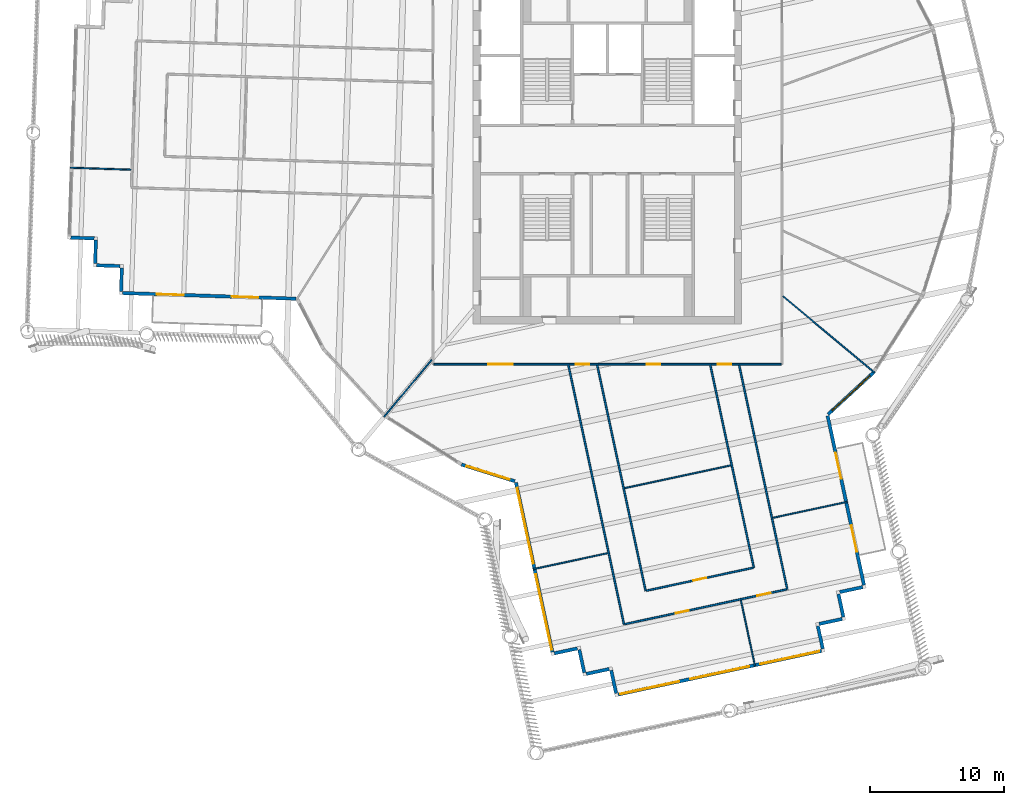
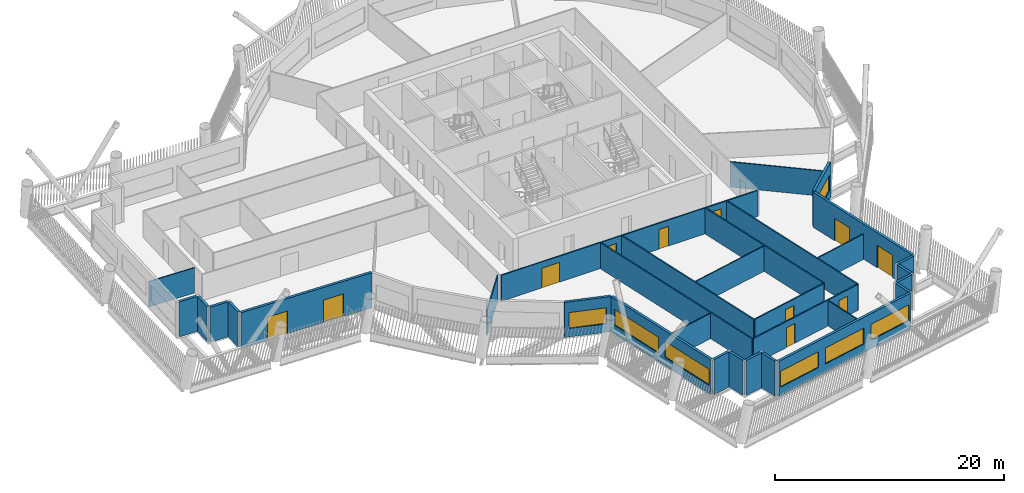
# One storey, part 3 of 21: 32 walls, 11 doors, 7 windows, 18 openings.
"""IFC4 building model written with IfcOpenShell, lengths in metres."""

from ifc_helpers import new_model, si_unit, direction, frame, frame_2d, origin, place, context, subcontext, project, spatial, rectangle, extrude, material, layer, layer_set, type_object, element, fill, save


model = new_model("IFC4")

# Units and contexts
model_context = context("Model", 3, precision=1e-05, world=origin(), true_north=direction((0.0, 1.0)))
body_context = subcontext(model_context, "Body", "Model", "MODEL_VIEW")
ifc_project = project(units=[si_unit("LENGTHUNIT", "METRE"), si_unit("AREAUNIT", "SQUARE_METRE"), si_unit("VOLUMEUNIT", "CUBIC_METRE"), si_unit("PLANEANGLEUNIT", "RADIAN"), si_unit("MASSUNIT", "GRAM", prefix="KILO")], contexts=[model_context])

# Site, building, storey
site_placement = place(None, origin())
site = spatial("IfcSite", under=ifc_project, at=site_placement, CompositionType="ELEMENT")
building_placement = place(site_placement, origin())
building = spatial("IfcBuilding", under=site, at=building_placement, Name="Tarsis Ring Headquarters", CompositionType="ELEMENT")
storey_placement = place(building_placement, frame((0.0, 0.0, 278.60009765625)))
storey = spatial("IfcBuildingStorey", under=building, at=storey_placement, Name="L65", CompositionType="ELEMENT", Elevation=278.60009765625)

# Walls
ifc_material_1 = material(Name="Gypsum board on steel studs", Category="steel")
ifc_layer_1 = layer(ifc_material_1, 0.10009765625)
ifc_layer_set_1 = layer_set([ifc_layer_1], Name="FL partition 100 unrated")
wall_type_1 = type_object("IfcWallType", Name="FL partition 100 unrated", PredefinedType="PARTITIONING", material=ifc_layer_set_1)
wall_1_placement = place(storey_placement, frame((13.08447265625, -10.9326171875, 0.0), z_axis=(0.0, 0.0, 1.0), x_axis=(0.767397433309, -0.641171723761, 0.0)))
element("IfcWall", 1, at=wall_1_placement, inside=storey, type_object=wall_type_1, Name="Partition PW3", PredefinedType="PARTITIONING", context=body_context, shape_type="SweptSolid", body=[
    extrude(rectangle(XDim=8.897216796875, YDim=0.10009765625, at=frame_2d((4.44873046875, 0.0))), origin(), (0.0, 0.0, 1.0), 2.699951171875),
])
wall_2_placement = place(storey_placement, frame((1.276611328125, -25.234375, 0.0), z_axis=(0.0, 0.0, 1.0), x_axis=(0.977709690477, 0.209961332507, 0.0)))
element("IfcWall", 2, at=wall_2_placement, inside=storey, type_object=wall_type_1, Name="Partition PW3", PredefinedType="PARTITIONING", context=body_context, shape_type="SweptSolid", body=[
    extrude(rectangle(XDim=8.10009765625, YDim=0.10009765625, at=frame_2d((4.050048828125, 0.0))), origin(), (0.0, 0.0, 1.0), 2.699951171875),
])
wall_3_placement = place(storey_placement, frame((-5.5087890625, -31.263427734375, 0.0), z_axis=(0.0, 0.0, 1.0), x_axis=(0.97771585261, 0.209932635755, 0.0)))
element("IfcWall", 3, at=wall_3_placement, inside=storey, type_object=wall_type_1, Name="Partition PW3", PredefinedType="PARTITIONING", context=body_context, shape_type="SweptSolid", body=[
    extrude(rectangle(XDim=5.66015625, YDim=0.10009765625, at=frame_2d((2.830078125, 0.0))), origin(), (0.0, 0.0, 1.0), 2.699951171875),
])
wall_4_placement = place(storey_placement, frame((12.326904296875, -27.443603515625, 0.0), z_axis=(0.0, 0.0, 1.0), x_axis=(0.977705096563, 0.209982723466, 0.0)))
element("IfcWall", 4, at=wall_4_placement, inside=storey, type_object=wall_type_1, Name="Partition PW3", PredefinedType="PARTITIONING", context=body_context, shape_type="SweptSolid", body=[
    extrude(rectangle(XDim=5.659912109375, YDim=0.10009765625, at=frame_2d((2.830078125, 0.0))), origin(), (0.0, 0.0, 1.0), 2.699951171875),
])
wall_5_placement = place(storey_placement, frame((-16.63720703125, -19.912109375, 0.0), z_axis=(0.0, 0.0, 1.0), x_axis=(0.641160456154, 0.767406847418, 0.0)))
element("IfcWall", 5, at=wall_5_placement, inside=storey, type_object=wall_type_1, Name="Partition PW3", PredefinedType="PARTITIONING", context=body_context, shape_type="SweptSolid", body=[
    extrude(rectangle(XDim=5.53271484375, YDim=0.10009765625, at=frame_2d((2.766357421875, 0.0))), origin(), (0.0, 0.0, 1.0), 2.699951171875),
])
wall_6_placement = place(storey_placement, frame((9.9423828125, -33.5810546875, 0.0), z_axis=(0.0, 0.0, 1.0), x_axis=(0.20993016706, -0.977716382679, 0.0)))
element("IfcWall", 6, at=wall_6_placement, inside=storey, type_object=wall_type_1, Name="Partition PW3", PredefinedType="PARTITIONING", context=body_context, shape_type="SweptSolid", body=[
    extrude(rectangle(XDim=5.02978515625, YDim=0.10009765625, at=frame_2d((2.514892578125, 0.0))), origin(), (0.0, 0.0, 1.0), 2.699951171875),
])
wall_7_placement = place(storey_placement, frame((-40.01611328125, -1.35791015625, 0.0), z_axis=(0.0, 0.0, 1.0), x_axis=(0.999462391884, -0.03278608257, 0.0)))
element("IfcWall", 7, at=wall_7_placement, inside=storey, type_object=wall_type_1, Name="Partition PW3", PredefinedType="PARTITIONING", context=body_context, shape_type="SweptSolid", body=[
    extrude(rectangle(XDim=4.52001953125, YDim=0.10009765625, at=frame_2d((2.260009765625, 0.0))), origin(), (0.0, 0.0, 1.0), 2.699951171875),
])

# Wall, openings, doors
ifc_layer_2 = layer(ifc_material_1, 0.125)
ifc_layer_set_2 = layer_set([ifc_layer_2], Name="FL partition 125 EI 60 H2770")
wall_type_2 = type_object("IfcWallType", Name="FL partition 125 EI 60 H2770", PredefinedType="PARTITIONING", material=ifc_layer_set_2)
wall_8_placement = place(storey_placement, frame((-12.93994140625, -16.0, 0.0), z_axis=(0.0, 0.0, 1.0), x_axis=(1.0, 0.0, 0.0)))
wall_8 = element("IfcWall", 8, at=wall_8_placement, inside=storey, type_object=wall_type_2, Name="Partition PW1", PredefinedType="PARTITIONING", context=body_context, shape_type="SweptSolid", body=[
    extrude(rectangle(XDim=25.8798828125, YDim=0.125, at=frame_2d((12.93994140625, 0.0))), origin(), (0.0, 0.0, 1.0), 2.77001953125),
])
opening_1_placement = place(wall_8_placement, frame((4.0771484375, 0.0, 0.0)))
opening_1 = element("IfcOpeningElement", 9, at=opening_1_placement, cuts=wall_8, Name="Opening D65.12", PredefinedType="OPENING", context=body_context, shape_type="SweptSolid", body=[
    extrude(rectangle(XDim=1.800048828125, YDim=2.10009765625, at=frame_2d((0.89990234375, 1.050048828125))), frame((0.0, 0.072509765625, 0.0), z_axis=(0.0, -1.0, 0.0), x_axis=(1.0, 0.0, 0.0)), (0.0, 0.0, 1.0), 0.14501953125),
])
opening_2_placement = place(wall_8_placement, frame((15.8759765625, 0.0, 0.0)))
opening_2 = element("IfcOpeningElement", 10, at=opening_2_placement, cuts=wall_8, Name="Opening D65.16", PredefinedType="OPENING", context=body_context, shape_type="SweptSolid", body=[
    extrude(rectangle(XDim=1.0, YDim=2.10009765625, at=frame_2d((0.5, 1.050048828125))), frame((0.0, 0.072509765625, 0.0), z_axis=(0.0, -1.0, 0.0), x_axis=(1.0, 0.0, 0.0)), (0.0, 0.0, 1.0), 0.14501953125),
])
opening_3_placement = place(wall_8_placement, frame((10.588134765625, 0.0, 0.0)))
opening_3 = element("IfcOpeningElement", 11, at=opening_3_placement, cuts=wall_8, Name="Opening D65.18", PredefinedType="OPENING", context=body_context, shape_type="SweptSolid", body=[
    extrude(rectangle(XDim=1.0, YDim=2.10009765625, at=frame_2d((0.5, 1.050048828125))), frame((0.0, 0.072509765625, 0.0), z_axis=(0.0, -1.0, 0.0), x_axis=(1.0, 0.0, 0.0)), (0.0, 0.0, 1.0), 0.14501953125),
])
opening_4_placement = place(wall_8_placement, frame((21.163818359375, 0.0, 0.0)))
opening_4 = element("IfcOpeningElement", 12, at=opening_4_placement, cuts=wall_8, Name="Opening D65.19", PredefinedType="OPENING", context=body_context, shape_type="SweptSolid", body=[
    extrude(rectangle(XDim=1.0, YDim=2.10009765625, at=frame_2d((0.5, 1.050048828125))), frame((0.0, 0.072509765625, 0.0), z_axis=(0.0, -1.0, 0.0), x_axis=(1.0, 0.0, 0.0)), (0.0, 0.0, 1.0), 0.14501953125),
])
ifc_material_2 = material(Name="Fire-rated timber door leaf in steel frame", Category="steel")
door_type_1 = type_object("IfcDoorType", Name="FL door FD60-1000", OperationType="NOTDEFINED", PredefinedType="DOOR", material=ifc_material_2)
door_1_placement = place(opening_2_placement, origin())
door_1 = element("IfcDoor", 13, at=door_1_placement, inside=storey, type_object=door_type_1, Name="Door D65.16", OperationType="SINGLE_SWING_LEFT", OverallHeight=2.10009765625, OverallWidth=1.0, PredefinedType="DOOR", context=body_context, shape_type="SweptSolid", body=[
    extrude(rectangle(XDim=1.0, YDim=2.10009765625, at=frame_2d((0.5, 1.050048828125))), frame((0.0, 0.02490234375, 0.0), z_axis=(0.0, -1.0, 0.0), x_axis=(1.0, 0.0, 0.0)), (0.0, 0.0, 1.0), 0.050048828125),
])
fill(opening_2, door_1)
door_2_placement = place(opening_3_placement, origin())
door_2 = element("IfcDoor", 14, at=door_2_placement, inside=storey, type_object=door_type_1, Name="Door D65.18", OperationType="SINGLE_SWING_LEFT", OverallHeight=2.10009765625, OverallWidth=1.0, PredefinedType="DOOR", context=body_context, shape_type="SweptSolid", body=[
    extrude(rectangle(XDim=1.0, YDim=2.10009765625, at=frame_2d((0.5, 1.050048828125))), frame((0.0, 0.02490234375, 0.0), z_axis=(0.0, -1.0, 0.0), x_axis=(1.0, 0.0, 0.0)), (0.0, 0.0, 1.0), 0.050048828125),
])
fill(opening_3, door_2)
door_3_placement = place(opening_4_placement, origin())
door_3 = element("IfcDoor", 15, at=door_3_placement, inside=storey, type_object=door_type_1, Name="Door D65.19", OperationType="SINGLE_SWING_RIGHT", OverallHeight=2.10009765625, OverallWidth=1.0, PredefinedType="DOOR", context=body_context, shape_type="SweptSolid", body=[
    extrude(rectangle(XDim=1.0, YDim=2.10009765625, at=frame_2d((0.5, 1.050048828125))), frame((0.0, 0.02490234375, 0.0), z_axis=(0.0, -1.0, 0.0), x_axis=(1.0, 0.0, 0.0)), (0.0, 0.0, 1.0), 0.050048828125),
])
fill(opening_4, door_3)
door_type_2 = type_object("IfcDoorType", Name="FL door FD60-1800", OperationType="DOUBLE_DOOR_SINGLE_SWING", PredefinedType="DOOR", material=ifc_material_2)
door_4_placement = place(opening_1_placement, origin())
door_4 = element("IfcDoor", 16, at=door_4_placement, inside=storey, type_object=door_type_2, Name="Door D65.12", OperationType="DOUBLE_DOOR_SINGLE_SWING", OverallHeight=2.10009765625, OverallWidth=1.800048828125, PredefinedType="DOOR", context=body_context, shape_type="SweptSolid", body=[
    extrude(rectangle(XDim=1.800048828125, YDim=2.10009765625, at=frame_2d((0.89990234375, 1.050048828125))), frame((0.0, 0.02490234375, 0.0), z_axis=(0.0, -1.0, 0.0), x_axis=(1.0, 0.0, 0.0)), (0.0, 0.0, 1.0), 0.050048828125),
])
fill(opening_1, door_4)

# Walls
wall_9_placement = place(storey_placement, frame((-2.9111328125, -16.068359375, 0.0), z_axis=(0.0, 0.0, 1.0), x_axis=(0.209950305482, -0.977712058445, 0.0)))
element("IfcWall", 17, at=wall_9_placement, inside=storey, type_object=wall_type_2, Name="Partition PW1", PredefinedType="PARTITIONING", context=body_context, shape_type="SweptSolid", body=[
    extrude(rectangle(XDim=19.7509765625, YDim=0.125, at=frame_2d((9.87548828125, 0.0))), origin(), (0.0, 0.0, 1.0), 2.77001953125),
])
wall_10_placement = place(storey_placement, frame((-0.76318359375, -16.068359375, 0.0), z_axis=(0.0, 0.0, 1.0), x_axis=(0.209946864665, -0.977712797307, 0.0)))
element("IfcWall", 18, at=wall_10_placement, inside=storey, type_object=wall_type_2, Name="Partition PW1", PredefinedType="PARTITIONING", context=body_context, shape_type="SweptSolid", body=[
    extrude(rectangle(XDim=17.199951171875, YDim=0.125, at=frame_2d((8.60009765625, 0.0))), origin(), (0.0, 0.0, 1.0), 2.77001953125),
])
wall_11_placement = place(storey_placement, frame((9.8125, -16.068359375, 0.0), z_axis=(0.0, 0.0, 1.0), x_axis=(0.209956646597, -0.977710696755, 0.0)))
element("IfcWall", 19, at=wall_11_placement, inside=storey, type_object=wall_type_2, Name="Partition PW1", PredefinedType="PARTITIONING", context=body_context, shape_type="SweptSolid", body=[
    extrude(rectangle(XDim=17.079345703125, YDim=0.125, at=frame_2d((8.53955078125, 0.0))), origin(), (0.0, 0.0, 1.0), 2.77001953125),
])
wall_12_placement = place(storey_placement, frame((7.66455078125, -16.068359375, 0.0), z_axis=(0.0, 0.0, 1.0), x_axis=(0.209955872666, -0.977710862951, 0.0)))
element("IfcWall", 20, at=wall_12_placement, inside=storey, type_object=wall_type_2, Name="Partition PW1", PredefinedType="PARTITIONING", context=body_context, shape_type="SweptSolid", body=[
    extrude(rectangle(XDim=15.4306640625, YDim=0.125, at=frame_2d((7.71533203125, 0.0))), origin(), (0.0, 0.0, 1.0), 2.77001953125),
])

# Wall, openings, doors
wall_13_placement = place(storey_placement, frame((1.29443359375, -35.366455078125, 0.0), z_axis=(0.0, 0.0, 1.0), x_axis=(0.977710680935, 0.209956720267, 0.0)))
wall_13 = element("IfcWall", 21, at=wall_13_placement, inside=storey, type_object=wall_type_2, Name="Partition PW1", PredefinedType="PARTITIONING", context=body_context, shape_type="SweptSolid", body=[
    extrude(rectangle(XDim=12.320068359375, YDim=0.125, at=frame_2d((6.16015625, 0.0))), origin(), (0.0, 0.0, 1.0), 2.77001953125),
])
opening_5_placement = place(wall_13_placement, frame((10.103271484375, 0.0, 0.0)))
opening_5 = element("IfcOpeningElement", 22, at=opening_5_placement, cuts=wall_13, Name="Opening D65.10", PredefinedType="OPENING", context=body_context, shape_type="SweptSolid", body=[
    extrude(rectangle(XDim=1.0, YDim=2.10009765625, at=frame_2d((0.5, 1.050048828125))), frame((0.0, 0.072509765625, 0.0), z_axis=(0.0, -1.0, 0.0), x_axis=(1.0, 0.0, 0.0)), (0.0, 0.0, 1.0), 0.14501953125),
])
opening_6_placement = place(wall_13_placement, frame((3.88330078125, 0.0, 0.0)))
opening_6 = element("IfcOpeningElement", 23, at=opening_6_placement, cuts=wall_13, Name="Opening D65.11", PredefinedType="OPENING", context=body_context, shape_type="SweptSolid", body=[
    extrude(rectangle(XDim=1.0, YDim=2.10009765625, at=frame_2d((0.5, 1.050048828125))), frame((0.0, 0.072509765625, 0.0), z_axis=(0.0, -1.0, 0.0), x_axis=(1.0, 0.0, 0.0)), (0.0, 0.0, 1.0), 0.14501953125),
])
door_5_placement = place(opening_5_placement, origin())
door_5 = element("IfcDoor", 24, at=door_5_placement, inside=storey, type_object=door_type_1, Name="Door D65.10", OperationType="SINGLE_SWING_LEFT", OverallHeight=2.10009765625, OverallWidth=1.0, PredefinedType="DOOR", context=body_context, shape_type="SweptSolid", body=[
    extrude(rectangle(XDim=1.0, YDim=2.10009765625, at=frame_2d((0.5, 1.050048828125))), frame((0.0, 0.02490234375, 0.0), z_axis=(0.0, -1.0, 0.0), x_axis=(1.0, 0.0, 0.0)), (0.0, 0.0, 1.0), 0.050048828125),
])
fill(opening_5, door_5)
door_6_placement = place(opening_6_placement, origin())
door_6 = element("IfcDoor", 25, at=door_6_placement, inside=storey, type_object=door_type_1, Name="Door D65.11", OperationType="SINGLE_SWING_RIGHT", OverallHeight=2.10009765625, OverallWidth=1.0, PredefinedType="DOOR", context=body_context, shape_type="SweptSolid", body=[
    extrude(rectangle(XDim=1.0, YDim=2.10009765625, at=frame_2d((0.5, 1.050048828125))), frame((0.0, 0.02490234375, 0.0), z_axis=(0.0, -1.0, 0.0), x_axis=(1.0, 0.0, 0.0)), (0.0, 0.0, 1.0), 0.050048828125),
])
fill(opening_6, door_6)

# Wall, opening, door
wall_14_placement = place(storey_placement, frame((2.90673828125, -32.872314453125, 0.0), z_axis=(0.0, 0.0, 1.0), x_axis=(0.977710800527, 0.209956163358, 0.0)))
wall_14 = element("IfcWall", 26, at=wall_14_placement, inside=storey, type_object=wall_type_2, Name="Partition PW1", PredefinedType="PARTITIONING", context=body_context, shape_type="SweptSolid", body=[
    extrude(rectangle(XDim=8.119873046875, YDim=0.125, at=frame_2d((4.06005859375, 0.0))), origin(), (0.0, 0.0, 1.0), 2.77001953125),
])
opening_7_placement = place(wall_14_placement, frame((3.56005859375, 0.0, 0.0)))
opening_7 = element("IfcOpeningElement", 27, at=opening_7_placement, cuts=wall_14, Name="Opening D65.17", PredefinedType="OPENING", context=body_context, shape_type="SweptSolid", body=[
    extrude(rectangle(XDim=1.0, YDim=2.10009765625, at=frame_2d((0.5, 1.050048828125))), frame((0.0, 0.072509765625, 0.0), z_axis=(0.0, -1.0, 0.0), x_axis=(1.0, 0.0, 0.0)), (0.0, 0.0, 1.0), 0.14501953125),
])
door_7_placement = place(opening_7_placement, origin())
door_7 = element("IfcDoor", 28, at=door_7_placement, inside=storey, type_object=door_type_1, Name="Door D65.17", OperationType="SINGLE_SWING_RIGHT", OverallHeight=2.10009765625, OverallWidth=1.0, PredefinedType="DOOR", context=body_context, shape_type="SweptSolid", body=[
    extrude(rectangle(XDim=1.0, YDim=2.10009765625, at=frame_2d((0.5, 1.050048828125))), frame((0.0, 0.02490234375, 0.0), z_axis=(0.0, -1.0, 0.0), x_axis=(1.0, 0.0, 0.0)), (0.0, 0.0, 1.0), 0.050048828125),
])
fill(opening_7, door_7)

# Wall, openings, doors
ifc_material_3 = material(Name="Terracotta clad insulated panel wall", Category="masonry")
ifc_layer_3 = layer(ifc_material_3, 0.25)
ifc_layer_set_3 = layer_set([ifc_layer_3], Name="Facade wall terracotta panel 250")
wall_type_3 = type_object("IfcWallType", Name="Facade wall terracotta panel 250", PredefinedType="STANDARD", material=ifc_layer_set_3)
wall_15_placement = place(storey_placement, frame((-36.120361328125, -10.69580078125, 0.0), z_axis=(0.0, 0.0, 1.0), x_axis=(0.999461968756, -0.032798978786, 0.0)))
wall_15 = element("IfcWall", 29, at=wall_15_placement, inside=storey, type_object=wall_type_3, Name="External wall L65-01", PredefinedType="STANDARD", context=body_context, shape_type="SweptSolid", body=[
    extrude(rectangle(XDim=12.921875, YDim=0.25, at=frame_2d((6.4609375, 0.0))), origin(), (0.0, 0.0, 1.0), 3.739990234375),
])
opening_8_placement = place(wall_15_placement, frame((2.550048828125, 0.0, 0.0)))
opening_8 = element("IfcOpeningElement", 30, at=opening_8_placement, cuts=wall_15, Name="Opening L65-BD01", PredefinedType="OPENING", context=body_context, shape_type="SweptSolid", body=[
    extrude(rectangle(XDim=2.0, YDim=2.39990234375, at=frame_2d((1.0, 1.199951171875))), frame((0.0, 0.135009765625, 0.0), z_axis=(0.0, -1.0, 0.0), x_axis=(1.0, 0.0, 0.0)), (0.0, 0.0, 1.0), 0.27001953125),
])
opening_9_placement = place(wall_15_placement, frame((8.1220703125, 0.0, 0.0)))
opening_9 = element("IfcOpeningElement", 31, at=opening_9_placement, cuts=wall_15, Name="Opening L65-BD02", PredefinedType="OPENING", context=body_context, shape_type="SweptSolid", body=[
    extrude(rectangle(XDim=2.0, YDim=2.39990234375, at=frame_2d((1.0, 1.199951171875))), frame((0.0, 0.135009765625, 0.0), z_axis=(0.0, -1.0, 0.0), x_axis=(1.0, 0.0, 0.0)), (0.0, 0.0, 1.0), 0.27001953125),
])
ifc_material_4 = material(Name="Aluminium framed double glazing", Category="aluminium")
door_type_3 = type_object("IfcDoorType", Name="Balcony sliding door 2000 x 2400", OperationType="SLIDING_TO_LEFT", PredefinedType="DOOR", material=ifc_material_4)
door_8_placement = place(opening_8_placement, origin())
door_8 = element("IfcDoor", 32, at=door_8_placement, inside=storey, type_object=door_type_3, Name="Door L65-BD01", OperationType="SINGLE_SWING_LEFT", OverallHeight=2.39990234375, OverallWidth=2.0, PredefinedType="DOOR", context=body_context, shape_type="SweptSolid", body=[
    extrude(rectangle(XDim=2.0, YDim=2.39990234375, at=frame_2d((1.0, 1.199951171875))), frame((0.0, 0.02490234375, 0.0), z_axis=(0.0, -1.0, 0.0), x_axis=(1.0, 0.0, 0.0)), (0.0, 0.0, 1.0), 0.050048828125),
])
fill(opening_8, door_8)
door_9_placement = place(opening_9_placement, origin())
door_9 = element("IfcDoor", 33, at=door_9_placement, inside=storey, type_object=door_type_3, Name="Door L65-BD02", OperationType="SINGLE_SWING_LEFT", OverallHeight=2.39990234375, OverallWidth=2.0, PredefinedType="DOOR", context=body_context, shape_type="SweptSolid", body=[
    extrude(rectangle(XDim=2.0, YDim=2.39990234375, at=frame_2d((1.0, 1.199951171875))), frame((0.0, 0.02490234375, 0.0), z_axis=(0.0, -1.0, 0.0), x_axis=(1.0, 0.0, 0.0)), (0.0, 0.0, 1.0), 0.050048828125),
])
fill(opening_9, door_9)

# Wall, opening, window
wall_16_placement = place(storey_placement, frame((-10.869873046875, -23.4775390625, 0.0), z_axis=(0.0, 0.0, 1.0), x_axis=(0.954341953591, -0.298716312941, 0.0)))
wall_16 = element("IfcWall", 34, at=wall_16_placement, inside=storey, type_object=wall_type_3, Name="External wall L65-05", PredefinedType="STANDARD", context=body_context, shape_type="SweptSolid", body=[
    extrude(rectangle(XDim=4.15771484375, YDim=0.25, at=frame_2d((2.078857421875, 0.0))), origin(), (0.0, 0.0, 1.0), 3.739990234375),
])
opening_10_placement = place(wall_16_placement, frame((0.38720703125, 0.0, 0.89990234375)))
opening_10 = element("IfcOpeningElement", 35, at=opening_10_placement, cuts=wall_16, Name="Opening WN01", PredefinedType="OPENING", context=body_context, shape_type="SweptSolid", body=[
    extrude(rectangle(XDim=3.35009765625, YDim=1.699951171875, at=frame_2d((1.675048828125, 0.85009765625))), frame((0.0, 0.135009765625, 0.0), z_axis=(0.0, -1.0, 0.0), x_axis=(1.0, 0.0, 0.0)), (0.0, 0.0, 1.0), 0.27001953125),
])
window_type_1 = type_object("IfcWindowType", Name="Facade window 3350 x 1700", PartitioningType="SINGLE_PANEL", PredefinedType="WINDOW", material=ifc_material_4)
window_1_placement = place(opening_10_placement, origin())
window_1 = element("IfcWindow", 36, at=window_1_placement, inside=storey, type_object=window_type_1, Name="Window L65-05.1", OverallHeight=1.699951171875, OverallWidth=3.35009765625, PartitioningType="SINGLE_PANEL", PredefinedType="WINDOW", context=body_context, shape_type="SweptSolid", body=[
    extrude(rectangle(XDim=3.35009765625, YDim=1.699951171875, at=frame_2d((1.675048828125, 0.85009765625))), frame((0.0, 0.030029296875, 0.0), z_axis=(0.0, -1.0, 0.0), x_axis=(1.0, 0.0, 0.0)), (0.0, 0.0, 1.0), 0.06005859375),
])
fill(opening_10, window_1)

# Wall, openings, windows
wall_17_placement = place(storey_placement, frame((-6.8173828125, -24.8125, 0.0), z_axis=(0.0, 0.0, 1.0), x_axis=(0.209965188747, -0.977708862348, 0.0)))
wall_17 = element("IfcWall", 37, at=wall_17_placement, inside=storey, type_object=wall_type_3, Name="External wall L65-06", PredefinedType="STANDARD", context=body_context, shape_type="SweptSolid", body=[
    extrude(rectangle(XDim=12.921875, YDim=0.25, at=frame_2d((6.4609375, 0.0))), origin(), (0.0, 0.0, 1.0), 3.739990234375),
])
opening_11_placement = place(wall_17_placement, frame((0.41796875, 0.0, 0.89990234375)))
opening_11 = element("IfcOpeningElement", 38, at=opening_11_placement, cuts=wall_17, Name="Opening WN06", PredefinedType="OPENING", context=body_context, shape_type="SweptSolid", body=[
    extrude(rectangle(XDim=5.75, YDim=1.699951171875, at=frame_2d((2.875, 0.85009765625))), frame((0.0, 0.135009765625, 0.0), z_axis=(0.0, -1.0, 0.0), x_axis=(1.0, 0.0, 0.0)), (0.0, 0.0, 1.0), 0.27001953125),
])
opening_12_placement = place(wall_17_placement, frame((7.00390625, 0.0, 0.89990234375)))
opening_12 = element("IfcOpeningElement", 39, at=opening_12_placement, cuts=wall_17, Name="Opening WN06", PredefinedType="OPENING", context=body_context, shape_type="SweptSolid", body=[
    extrude(rectangle(XDim=5.75, YDim=1.699951171875, at=frame_2d((2.875, 0.85009765625))), frame((0.0, 0.135009765625, 0.0), z_axis=(0.0, -1.0, 0.0), x_axis=(1.0, 0.0, 0.0)), (0.0, 0.0, 1.0), 0.27001953125),
])
window_type_2 = type_object("IfcWindowType", Name="Facade window 5750 x 1700", PartitioningType="SINGLE_PANEL", PredefinedType="WINDOW", material=ifc_material_4)
window_2_placement = place(opening_11_placement, origin())
window_2 = element("IfcWindow", 40, at=window_2_placement, inside=storey, type_object=window_type_2, Name="Window L65-06.1", OverallHeight=1.699951171875, OverallWidth=5.75, PartitioningType="SINGLE_PANEL", PredefinedType="WINDOW", context=body_context, shape_type="SweptSolid", body=[
    extrude(rectangle(XDim=5.75, YDim=1.699951171875, at=frame_2d((2.875, 0.85009765625))), frame((0.0, 0.030029296875, 0.0), z_axis=(0.0, -1.0, 0.0), x_axis=(1.0, 0.0, 0.0)), (0.0, 0.0, 1.0), 0.06005859375),
])
fill(opening_11, window_2)
window_3_placement = place(opening_12_placement, origin())
window_3 = element("IfcWindow", 41, at=window_3_placement, inside=storey, type_object=window_type_2, Name="Window L65-06.2", OverallHeight=1.699951171875, OverallWidth=5.75, PartitioningType="SINGLE_PANEL", PredefinedType="WINDOW", context=body_context, shape_type="SweptSolid", body=[
    extrude(rectangle(XDim=5.75, YDim=1.699951171875, at=frame_2d((2.875, 0.85009765625))), frame((0.0, 0.030029296875, 0.0), z_axis=(0.0, -1.0, 0.0), x_axis=(1.0, 0.0, 0.0)), (0.0, 0.0, 1.0), 0.06005859375),
])
fill(opening_12, window_3)

# Walls
for number, where, z_axis, x_axis, name in (
    (42, (-3.955810546875, -37.54248046875, 0.0), (0.0, 0.0, 1.0), (0.977708399662, 0.209967343249, 0.0), "External wall L65-07"),
    (43, (-2.096435546875, -37.27099609375, 0.0), (0.0, 0.0, 1.0), (0.209967343249, -0.977708399662, 0.0), "External wall L65-08"),
    (44, (-1.580322265625, -39.077880859375, 0.0), (0.0, 0.0, 1.0), (0.977708399662, 0.209967343249, 0.0), "External wall L65-09"),
    (45, (0.279052734375, -38.806396484375, 0.0), (0.0, 0.0, 1.0), (0.209967343249, -0.977708399662, 0.0), "External wall L65-10"),
):
    element("IfcWall", number, at=place(storey_placement, frame(where, z_axis=z_axis, x_axis=x_axis)), inside=storey, type_object=wall_type_3, Name=name, PredefinedType="STANDARD", context=body_context, shape_type="SweptSolid", body=[
        extrude(rectangle(XDim=1.75, YDim=0.25, at=frame_2d((0.875, 0.0))), origin(), (0.0, 0.0, 1.0), 3.739990234375),
    ])

# Wall, openings, windows
wall_18_placement = place(storey_placement, frame((0.794921875, -40.61328125, 0.0), z_axis=(0.0, 0.0, 1.0), x_axis=(0.977709887641, 0.209960414387, 0.0)))
wall_18 = element("IfcWall", 46, at=wall_18_placement, inside=storey, type_object=wall_type_3, Name="External wall L65-11", PredefinedType="STANDARD", context=body_context, shape_type="SweptSolid", body=[
    extrude(rectangle(XDim=15.5, YDim=0.25, at=frame_2d((7.75, 0.0))), origin(), (0.0, 0.0, 1.0), 3.739990234375),
])
opening_13_placement = place(wall_18_placement, frame((0.166748046875, 0.0, 0.89990234375)))
opening_13 = element("IfcOpeningElement", 47, at=opening_13_placement, cuts=wall_18, Name="Opening WN04", PredefinedType="OPENING", context=body_context, shape_type="SweptSolid", body=[
    extrude(rectangle(XDim=4.5, YDim=1.699951171875, at=frame_2d((2.25, 0.85009765625))), frame((0.0, 0.135009765625, 0.0), z_axis=(0.0, -1.0, 0.0), x_axis=(1.0, 0.0, 0.0)), (0.0, 0.0, 1.0), 0.27001953125),
])
opening_14_placement = place(wall_18_placement, frame((5.5, 0.0, 0.89990234375)))
opening_14 = element("IfcOpeningElement", 48, at=opening_14_placement, cuts=wall_18, Name="Opening WN04", PredefinedType="OPENING", context=body_context, shape_type="SweptSolid", body=[
    extrude(rectangle(XDim=4.5, YDim=1.699951171875, at=frame_2d((2.25, 0.85009765625))), frame((0.0, 0.135009765625, 0.0), z_axis=(0.0, -1.0, 0.0), x_axis=(1.0, 0.0, 0.0)), (0.0, 0.0, 1.0), 0.27001953125),
])
opening_15_placement = place(wall_18_placement, frame((10.833251953125, 0.0, 0.89990234375)))
opening_15 = element("IfcOpeningElement", 49, at=opening_15_placement, cuts=wall_18, Name="Opening WN04", PredefinedType="OPENING", context=body_context, shape_type="SweptSolid", body=[
    extrude(rectangle(XDim=4.5, YDim=1.699951171875, at=frame_2d((2.25, 0.85009765625))), frame((0.0, 0.135009765625, 0.0), z_axis=(0.0, -1.0, 0.0), x_axis=(1.0, 0.0, 0.0)), (0.0, 0.0, 1.0), 0.27001953125),
])
window_type_3 = type_object("IfcWindowType", Name="Facade window 4500 x 1700", PartitioningType="SINGLE_PANEL", PredefinedType="WINDOW", material=ifc_material_4)
window_4_placement = place(opening_13_placement, origin())
window_4 = element("IfcWindow", 50, at=window_4_placement, inside=storey, type_object=window_type_3, Name="Window L65-11.1", OverallHeight=1.699951171875, OverallWidth=4.5, PartitioningType="SINGLE_PANEL", PredefinedType="WINDOW", context=body_context, shape_type="SweptSolid", body=[
    extrude(rectangle(XDim=4.5, YDim=1.699951171875, at=frame_2d((2.25, 0.85009765625))), frame((0.0, 0.030029296875, 0.0), z_axis=(0.0, -1.0, 0.0), x_axis=(1.0, 0.0, 0.0)), (0.0, 0.0, 1.0), 0.06005859375),
])
fill(opening_13, window_4)
window_5_placement = place(opening_14_placement, origin())
window_5 = element("IfcWindow", 51, at=window_5_placement, inside=storey, type_object=window_type_3, Name="Window L65-11.2", OverallHeight=1.699951171875, OverallWidth=4.5, PartitioningType="SINGLE_PANEL", PredefinedType="WINDOW", context=body_context, shape_type="SweptSolid", body=[
    extrude(rectangle(XDim=4.5, YDim=1.699951171875, at=frame_2d((2.25, 0.85009765625))), frame((0.0, 0.030029296875, 0.0), z_axis=(0.0, -1.0, 0.0), x_axis=(1.0, 0.0, 0.0)), (0.0, 0.0, 1.0), 0.06005859375),
])
fill(opening_14, window_5)
window_6_placement = place(opening_15_placement, origin())
window_6 = element("IfcWindow", 52, at=window_6_placement, inside=storey, type_object=window_type_3, Name="Window L65-11.3", OverallHeight=1.699951171875, OverallWidth=4.5, PartitioningType="SINGLE_PANEL", PredefinedType="WINDOW", context=body_context, shape_type="SweptSolid", body=[
    extrude(rectangle(XDim=4.5, YDim=1.699951171875, at=frame_2d((2.25, 0.85009765625))), frame((0.0, 0.030029296875, 0.0), z_axis=(0.0, -1.0, 0.0), x_axis=(1.0, 0.0, 0.0)), (0.0, 0.0, 1.0), 0.06005859375),
])
fill(opening_15, window_6)

# Walls
for number, where, z_axis, x_axis, name in (
    (53, (16.04541015625, -37.21044921875, 0.0), (0.0, 0.0, 1.0), (-0.209967343249, 0.977708399662, 0.0), "External wall L65-12"),
    (54, (15.77392578125, -35.35107421875, 0.0), (0.0, 0.0, 1.0), (0.977708399662, 0.209967343249, 0.0), "External wall L65-13"),
    (55, (17.580810546875, -34.835205078125, 0.0), (0.0, 0.0, 1.0), (-0.209967343249, 0.977708399662, 0.0), "External wall L65-14"),
):
    element("IfcWall", number, at=place(storey_placement, frame(where, z_axis=z_axis, x_axis=x_axis)), inside=storey, type_object=wall_type_3, Name=name, PredefinedType="STANDARD", context=body_context, shape_type="SweptSolid", body=[
        extrude(rectangle(XDim=1.75, YDim=0.25, at=frame_2d((0.875, 0.0))), origin(), (0.0, 0.0, 1.0), 3.739990234375),
    ])
wall_19_placement = place(storey_placement, frame((17.309326171875, -32.975830078125, 0.0), z_axis=(0.0, 0.0, 1.0), x_axis=(0.977714549021, 0.209938706845, 0.0)))
element("IfcWall", 56, at=wall_19_placement, inside=storey, type_object=wall_type_3, Name="External wall L65-15", PredefinedType="STANDARD", context=body_context, shape_type="SweptSolid", body=[
    extrude(rectangle(XDim=1.750244140625, YDim=0.25, at=frame_2d((0.875, 0.0))), origin(), (0.0, 0.0, 1.0), 3.739990234375),
])

# Wall, openings, doors
wall_20_placement = place(storey_placement, frame((19.116455078125, -32.4599609375, 0.0), z_axis=(0.0, 0.0, 1.0), x_axis=(-0.209958128179, 0.977710378595, 0.0)))
wall_20 = element("IfcWall", 57, at=wall_20_placement, inside=storey, type_object=wall_type_3, Name="External wall L65-16", PredefinedType="STANDARD", context=body_context, shape_type="SweptSolid", body=[
    extrude(rectangle(XDim=12.9013671875, YDim=0.25, at=frame_2d((6.45068359375, 0.0))), origin(), (0.0, 0.0, 1.0), 3.739990234375),
])
opening_16_placement = place(wall_20_placement, frame((2.550048828125, 0.0, 0.0)))
opening_16 = element("IfcOpeningElement", 58, at=opening_16_placement, cuts=wall_20, Name="Opening L65-BD03", PredefinedType="OPENING", context=body_context, shape_type="SweptSolid", body=[
    extrude(rectangle(XDim=2.0, YDim=2.39990234375, at=frame_2d((1.0, 1.199951171875))), frame((0.0, 0.135009765625, 0.0), z_axis=(0.0, -1.0, 0.0), x_axis=(1.0, 0.0, 0.0)), (0.0, 0.0, 1.0), 0.27001953125),
])
opening_17_placement = place(wall_20_placement, frame((8.101318359375, 0.0, 0.0)))
opening_17 = element("IfcOpeningElement", 59, at=opening_17_placement, cuts=wall_20, Name="Opening L65-BD04", PredefinedType="OPENING", context=body_context, shape_type="SweptSolid", body=[
    extrude(rectangle(XDim=2.0, YDim=2.39990234375, at=frame_2d((1.0, 1.199951171875))), frame((0.0, 0.135009765625, 0.0), z_axis=(0.0, -1.0, 0.0), x_axis=(1.0, 0.0, 0.0)), (0.0, 0.0, 1.0), 0.27001953125),
])
door_10_placement = place(opening_16_placement, origin())
door_10 = element("IfcDoor", 60, at=door_10_placement, inside=storey, type_object=door_type_3, Name="Door L65-BD03", OperationType="SINGLE_SWING_LEFT", OverallHeight=2.39990234375, OverallWidth=2.0, PredefinedType="DOOR", context=body_context, shape_type="SweptSolid", body=[
    extrude(rectangle(XDim=2.0, YDim=2.39990234375, at=frame_2d((1.0, 1.199951171875))), frame((0.0, 0.02490234375, 0.0), z_axis=(0.0, -1.0, 0.0), x_axis=(1.0, 0.0, 0.0)), (0.0, 0.0, 1.0), 0.050048828125),
])
fill(opening_16, door_10)
door_11_placement = place(opening_17_placement, origin())
door_11 = element("IfcDoor", 61, at=door_11_placement, inside=storey, type_object=door_type_3, Name="Door L65-BD04", OperationType="SINGLE_SWING_LEFT", OverallHeight=2.39990234375, OverallWidth=2.0, PredefinedType="DOOR", context=body_context, shape_type="SweptSolid", body=[
    extrude(rectangle(XDim=2.0, YDim=2.39990234375, at=frame_2d((1.0, 1.199951171875))), frame((0.0, 0.02490234375, 0.0), z_axis=(0.0, -1.0, 0.0), x_axis=(1.0, 0.0, 0.0)), (0.0, 0.0, 1.0), 0.050048828125),
])
fill(opening_17, door_11)

# Wall, opening, window
wall_21_placement = place(storey_placement, frame((16.445068359375, -19.727783203125, 0.0), z_axis=(0.0, 0.0, 1.0), x_axis=(0.735890968908, 0.677100053079, 0.0)))
wall_21 = element("IfcWall", 62, at=wall_21_placement, inside=storey, type_object=wall_type_3, Name="External wall L65-17", PredefinedType="STANDARD", context=body_context, shape_type="SweptSolid", body=[
    extrude(rectangle(XDim=4.61767578125, YDim=0.25, at=frame_2d((2.308837890625, 0.0))), origin(), (0.0, 0.0, 1.0), 3.739990234375),
])
opening_18_placement = place(wall_21_placement, frame((0.400390625, 0.0, 0.89990234375)))
opening_18 = element("IfcOpeningElement", 63, at=opening_18_placement, cuts=wall_21, Name="Opening WN02", PredefinedType="OPENING", context=body_context, shape_type="SweptSolid", body=[
    extrude(rectangle(XDim=3.85009765625, YDim=1.699951171875, at=frame_2d((1.925048828125, 0.85009765625))), frame((0.0, 0.135009765625, 0.0), z_axis=(0.0, -1.0, 0.0), x_axis=(1.0, 0.0, 0.0)), (0.0, 0.0, 1.0), 0.27001953125),
])
window_type_4 = type_object("IfcWindowType", Name="Facade window 3850 x 1700", PartitioningType="SINGLE_PANEL", PredefinedType="WINDOW", material=ifc_material_4)
window_7_placement = place(opening_18_placement, origin())
window_7 = element("IfcWindow", 64, at=window_7_placement, inside=storey, type_object=window_type_4, Name="Window L65-17.1", OverallHeight=1.699951171875, OverallWidth=3.85009765625, PartitioningType="SINGLE_PANEL", PredefinedType="WINDOW", context=body_context, shape_type="SweptSolid", body=[
    extrude(rectangle(XDim=3.85009765625, YDim=1.699951171875, at=frame_2d((1.925048828125, 0.85009765625))), frame((0.0, 0.030029296875, 0.0), z_axis=(0.0, -1.0, 0.0), x_axis=(1.0, 0.0, 0.0)), (0.0, 0.0, 1.0), 0.06005859375),
])
fill(opening_18, window_7)

# Walls
wall_22_placement = place(storey_placement, frame((-39.987060546875, -6.566650390625, 0.0), z_axis=(0.0, 0.0, 1.0), x_axis=(0.999462568492, -0.032780698339, 0.0)))
element("IfcWall", 65, at=wall_22_placement, inside=storey, type_object=wall_type_3, Name="External wall L65-37", PredefinedType="STANDARD", context=body_context, shape_type="SweptSolid", body=[
    extrude(rectangle(XDim=1.750244140625, YDim=0.25, at=frame_2d((0.875, 0.0))), origin(), (0.0, 0.0, 1.0), 3.739990234375),
])
for number, where, z_axis, x_axis, name in (
    (66, (-38.116943359375, -6.753173828125, 0.0), (0.0, 0.0, 1.0), (-0.032924630043, -0.999457837398, 0.0), "External wall L65-38"),
    (67, (-38.0537109375, -8.63134765625, 0.0), (0.0, 0.0, 1.0), (0.999462418566, -0.032785269174, 0.0), "External wall L65-39"),
    (68, (-36.183837890625, -8.817626953125, 0.0), (0.0, 0.0, 1.0), (-0.032785269174, -0.999462418566, 0.0), "External wall L65-40"),
):
    element("IfcWall", number, at=place(storey_placement, frame(where, z_axis=z_axis, x_axis=x_axis)), inside=storey, type_object=wall_type_3, Name=name, PredefinedType="STANDARD", context=body_context, shape_type="SweptSolid", body=[
        extrude(rectangle(XDim=1.75, YDim=0.25, at=frame_2d((0.875, 0.0))), origin(), (0.0, 0.0, 1.0), 3.739990234375),
    ])

save(model, "model.ifc")
